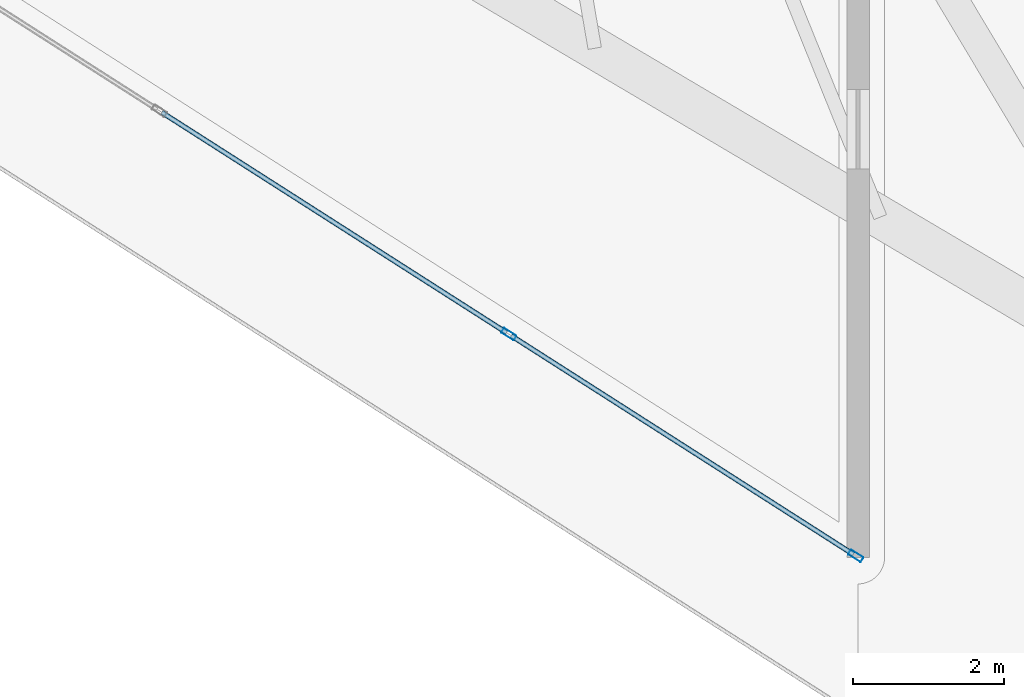
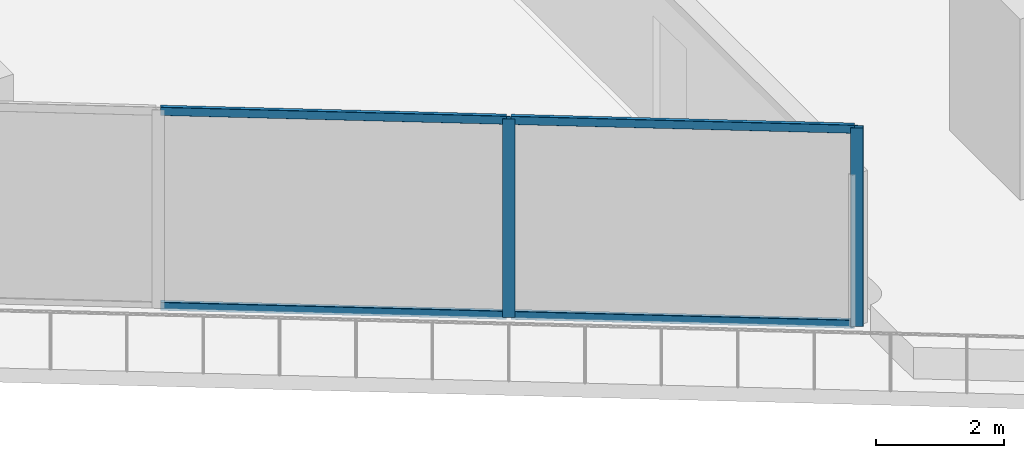
# One storey, part 7 of 39: 6 members, 1 element without a shape of its own.
"""IFC4 building model written with IfcOpenShell, lengths in metres."""

from ifc_helpers import new_model, si_unit, direction, frame, origin, origin_2d, place, context, subcontext, project, spatial, hollow_rectangle, extrude, material, layer, layer_set, material_profile, profile_set, type_object, element, aggregate, save


model = new_model("IFC4")

# Units and contexts
model_context = context("Model", 3, precision=1e-05, world=origin(), true_north=direction((0.0, 1.0)))
body_context = subcontext(model_context, "Body", "Model", "MODEL_VIEW")
ifc_project = project(units=[si_unit("LENGTHUNIT", "METRE"), si_unit("AREAUNIT", "SQUARE_METRE"), si_unit("VOLUMEUNIT", "CUBIC_METRE"), si_unit("PLANEANGLEUNIT", "RADIAN"), si_unit("MASSUNIT", "GRAM", prefix="KILO")], contexts=[model_context])

# Site, building, storey
site_placement = place(None, origin())
site = spatial("IfcSite", under=ifc_project, at=site_placement, CompositionType="ELEMENT")
building_placement = place(site_placement, origin())
building = spatial("IfcBuilding", under=site, at=building_placement, Name="Qorvath Tower", CompositionType="ELEMENT")
storey_placement = place(building_placement, frame((0.0, 0.0, 154.35009765625)))
storey = spatial("IfcBuildingStorey", under=building, at=storey_placement, Name="L35", CompositionType="ELEMENT", Elevation=154.35009765625)

# Curtain wall, members
ifc_material_1 = material(Name="Anodised aluminium and triple low-E glass", Category="aluminium")
ifc_layer = layer(ifc_material_1, 0.179931640625)
ifc_layer_set = layer_set([ifc_layer], Name="CW-SYS-5")
curtain_wall_type = type_object("IfcCurtainWallType", Name="CW-SYS-5", PredefinedType="NOTDEFINED", material=ifc_layer_set)
curtain_wall_placement = place(storey_placement, origin())
curtain_wall = element("IfcCurtainWall", 1, at=curtain_wall_placement, inside=storey, type_object=curtain_wall_type, Name="Curtain Wall CW-5 CW-T-L35-18.1", PredefinedType="NOTDEFINED")
ifc_material_2 = material(Name="Anodised aluminium 6063-T6", Category="aluminium")
ifc_material_profile_1 = material_profile(ifc_material_2, hollow_rectangle(XDim=0.074951171875, YDim=0.199951171875, WallThickness=0.00390625, InnerFilletRadius=0.00390625, OuterFilletRadius=0.008056640625, at=origin_2d()), Name="CWM 200x75")
ifc_profile_set_1 = profile_set([ifc_material_profile_1], Name="Anodised aluminium 6063-T6")
member_type_1 = type_object("IfcMemberType", Name="CWM-200", PredefinedType="MULLION", material=ifc_profile_set_1)
member_1_placement = place(storey_placement, frame((-24.396484375, -24.339111328125, 0.0), z_axis=(0.0, 0.0, 1.0), x_axis=(0.538536247531, 0.842602343989, 0.0)))
member_1 = element("IfcMember", 2, at=member_1_placement, type_object=member_type_1, Name="CW-5 mullion 8", PredefinedType="MULLION", context=body_context, shape_type="SweptSolid", body=[
    extrude(hollow_rectangle(XDim=0.074951171875, YDim=0.199951171875, WallThickness=0.00390625, InnerFilletRadius=0.00390625, OuterFilletRadius=0.008056640625, at=origin_2d()), origin(), (0.0, 0.0, 1.0), 3.77978515625),
])
member_2_placement = place(storey_placement, frame((-19.8154296875, -27.266845703125, 0.0), z_axis=(0.0, 0.0, 1.0), x_axis=(0.538536247531, 0.842602343989, 0.0)))
member_2 = element("IfcMember", 3, at=member_2_placement, type_object=member_type_1, Name="CW-5 mullion 9", PredefinedType="MULLION", context=body_context, shape_type="SweptSolid", body=[
    extrude(hollow_rectangle(XDim=0.074951171875, YDim=0.199951171875, WallThickness=0.00390625, InnerFilletRadius=0.00390625, OuterFilletRadius=0.008056640625, at=origin_2d()), origin(), (0.0, 0.0, 1.0), 3.77978515625),
])
ifc_material_3 = material(Name="Anodised aluminium 6063-T6", Category="aluminium")
ifc_material_profile_2 = material_profile(ifc_material_3, hollow_rectangle(XDim=0.06494140625, YDim=0.159912109375, WallThickness=0.00341796875, InnerFilletRadius=0.00341796875, OuterFilletRadius=0.007080078125, at=origin_2d()), Name="CWT 160x65")
ifc_profile_set_2 = profile_set([ifc_material_profile_2], Name="Anodised aluminium 6063-T6")
member_type_2 = type_object("IfcMemberType", Name="CWT-160", PredefinedType="USERDEFINED", material=ifc_profile_set_2)
member_3_placement = place(storey_placement, frame((-28.977294921875, -21.411376953125, 0.032470703125), z_axis=(0.842615326436, -0.538515934449, 0.0), x_axis=(0.538515934449, 0.842615326436, 0.0)))
member_3 = element("IfcMember", 4, at=member_3_placement, type_object=member_type_2, Name="CW-5 transom 7.1", ObjectType="TRANSOM", PredefinedType="USERDEFINED", context=body_context, shape_type="SweptSolid", body=[
    extrude(hollow_rectangle(XDim=0.06494140625, YDim=0.159912109375, WallThickness=0.00341796875, InnerFilletRadius=0.00341796875, OuterFilletRadius=0.007080078125, at=origin_2d()), origin(), (0.0, 0.0, 1.0), 5.39892578125),
])
member_4_placement = place(storey_placement, frame((-28.977294921875, -21.411376953125, 3.747314453125), z_axis=(0.842615326436, -0.538515934449, 0.0), x_axis=(0.538515934449, 0.842615326436, 0.0)))
member_4 = element("IfcMember", 5, at=member_4_placement, type_object=member_type_2, Name="CW-5 transom 7.2", ObjectType="TRANSOM", PredefinedType="USERDEFINED", context=body_context, shape_type="SweptSolid", body=[
    extrude(hollow_rectangle(XDim=0.06494140625, YDim=0.159912109375, WallThickness=0.00341796875, InnerFilletRadius=0.00341796875, OuterFilletRadius=0.007080078125, at=origin_2d()), origin(), (0.0, 0.0, 1.0), 5.39892578125),
])
member_5_placement = place(storey_placement, frame((-24.36474609375, -24.359375, 0.032470703125), z_axis=(0.842592946835, -0.538550950184, 0.0), x_axis=(0.538550950184, 0.842592946835, 0.0)))
member_5 = element("IfcMember", 6, at=member_5_placement, type_object=member_type_2, Name="CW-5 transom 8.1", ObjectType="TRANSOM", PredefinedType="USERDEFINED", context=body_context, shape_type="SweptSolid", body=[
    extrude(hollow_rectangle(XDim=0.06494140625, YDim=0.159912109375, WallThickness=0.00341796875, InnerFilletRadius=0.00341796875, OuterFilletRadius=0.007080078125, at=origin_2d()), origin(), (0.0, 0.0, 1.0), 5.361572265625),
])
member_6_placement = place(storey_placement, frame((-24.36474609375, -24.359375, 3.747314453125), z_axis=(0.842592946835, -0.538550950184, 0.0), x_axis=(0.538550950184, 0.842592946835, 0.0)))
member_6 = element("IfcMember", 7, at=member_6_placement, type_object=member_type_2, Name="CW-5 transom 8.2", ObjectType="TRANSOM", PredefinedType="USERDEFINED", context=body_context, shape_type="SweptSolid", body=[
    extrude(hollow_rectangle(XDim=0.06494140625, YDim=0.159912109375, WallThickness=0.00341796875, InnerFilletRadius=0.00341796875, OuterFilletRadius=0.007080078125, at=origin_2d()), origin(), (0.0, 0.0, 1.0), 5.361572265625),
])
aggregate(curtain_wall, [member_1, member_2, member_3, member_4, member_5, member_6])

save(model, "model.ifc")
